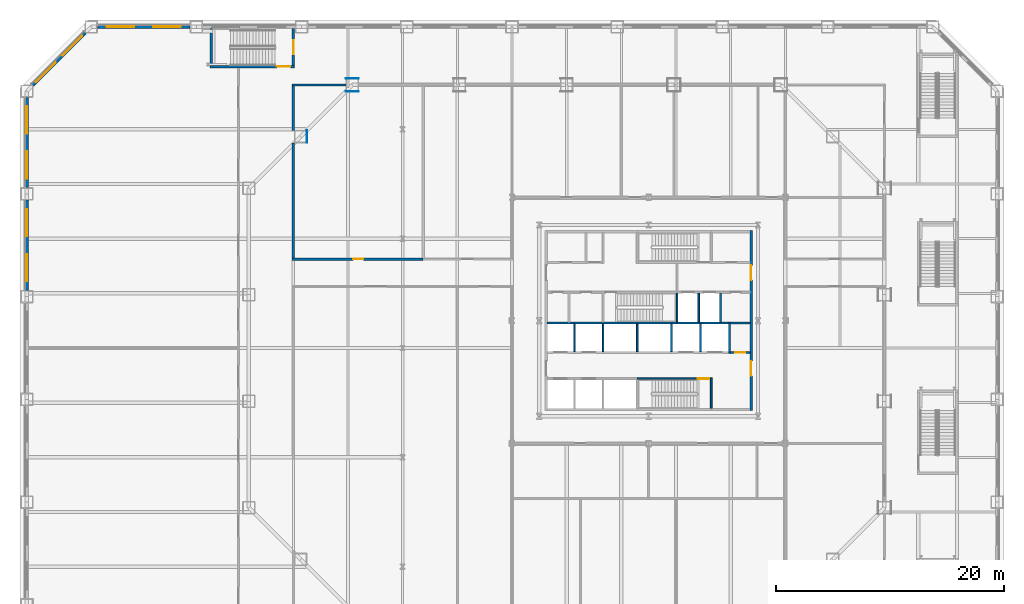
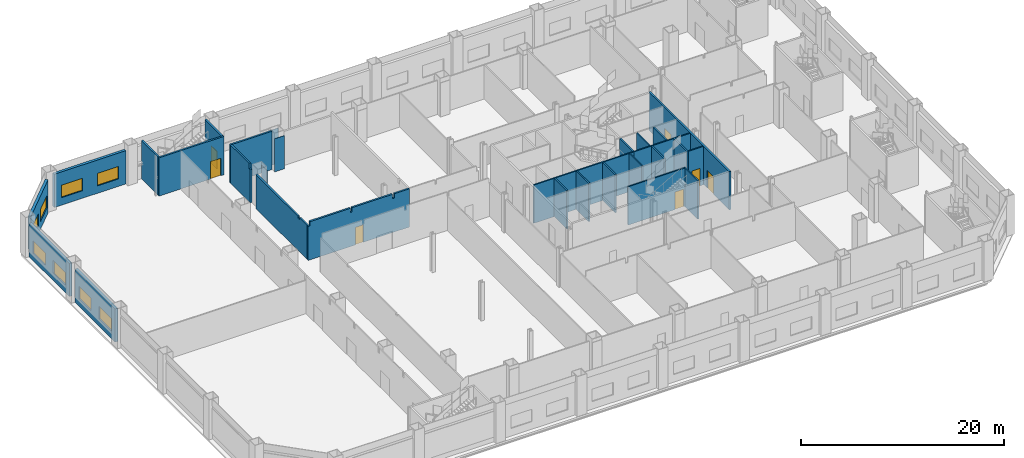
# One storey, part 14 of 26: 31 walls, 8 windows, 7 doors, 15 openings.
"""IFC4 building model written with IfcOpenShell, lengths in metres."""

from ifc_helpers import new_model, si_unit, direction, frame, frame_2d, origin, place, context, subcontext, project, spatial, polyline, rectangle, outline, extrude, material, layer, layer_set, type_object, element, fill, save


model = new_model("IFC4")

# Units and contexts
model_context = context("Model", 3, precision=1e-05, world=origin(), true_north=direction((0.0, 1.0)))
body_context = subcontext(model_context, "Body", "Model", "MODEL_VIEW")
ifc_project = project(units=[si_unit("LENGTHUNIT", "METRE"), si_unit("AREAUNIT", "SQUARE_METRE"), si_unit("VOLUMEUNIT", "CUBIC_METRE"), si_unit("PLANEANGLEUNIT", "RADIAN"), si_unit("MASSUNIT", "GRAM", prefix="KILO")], contexts=[model_context])

# Site, building, storey
site_placement = place(None, origin())
site = spatial("IfcSite", under=ifc_project, at=site_placement, CompositionType="ELEMENT")
building_placement = place(site_placement, origin())
building = spatial("IfcBuilding", under=site, at=building_placement, Name="Cairn Pilgrim Tower", CompositionType="ELEMENT")
storey_placement = place(building_placement, frame((0.0, 0.0, 21.0)))
storey = spatial("IfcBuildingStorey", under=building, at=storey_placement, Name="L03", CompositionType="ELEMENT", Elevation=21.0)

# Wall, openings, doors
ifc_material_1 = material(Name="Concrete C32/40", Category="concrete")
ifc_layer_1 = layer(ifc_material_1, 0.199951171875)
ifc_layer_set_1 = layer_set([ifc_layer_1], Name="CORE OUTER WALL 200 EI 120")
wall_type_1 = type_object("IfcWallType", Name="CORE OUTER WALL 200 EI 120", PredefinedType="SOLIDWALL", material=ifc_layer_set_1)
wall_1_placement = place(storey_placement, frame((16.199951171875, -5.5, 0.0), z_axis=(0.0, 0.0, 1.0), x_axis=(0.0, 1.0, 0.0)))
wall_1 = element("IfcWall", 1, at=wall_1_placement, inside=storey, type_object=wall_type_1, Name="CW:L03:V33", PredefinedType="SOLIDWALL", context=body_context, shape_type="SweptSolid", body=[
    extrude(rectangle(XDim=15.800048828125, YDim=0.199951171875, at=frame_2d((7.89990234375, 0.0))), origin(), (0.0, 0.0, 1.0), 4.60009765625),
])
opening_1_placement = place(wall_1_placement, frame((3.050048828125, 0.0, 0.0)))
opening_1 = element("IfcOpeningElement", 2, at=opening_1_placement, cuts=wall_1, Name="Opening CD-E1", PredefinedType="OPENING", context=body_context, shape_type="SweptSolid", body=[
    extrude(rectangle(XDim=1.300048828125, YDim=2.10009765625, at=frame_2d((0.64990234375, 1.050048828125))), frame((0.0, 0.10986328125, 0.0), z_axis=(0.0, -1.0, 0.0), x_axis=(1.0, 0.0, 0.0)), (0.0, 0.0, 1.0), 0.219970703125),
])
opening_2_placement = place(wall_1_placement, frame((11.449951171875, 0.0, 0.0)))
opening_2 = element("IfcOpeningElement", 3, at=opening_2_placement, cuts=wall_1, Name="Opening CD-E2", PredefinedType="OPENING", context=body_context, shape_type="SweptSolid", body=[
    extrude(rectangle(XDim=1.300048828125, YDim=2.10009765625, at=frame_2d((0.64990234375, 1.050048828125))), frame((0.0, 0.10986328125, 0.0), z_axis=(0.0, -1.0, 0.0), x_axis=(1.0, 0.0, 0.0)), (0.0, 0.0, 1.0), 0.219970703125),
])
ifc_material_2 = material(Name="Painted steel", Category="steel")
door_type_1 = type_object("IfcDoorType", Name="CORE LOBBY DOOR 1300x2100", OperationType="DOUBLE_DOOR_SINGLE_SWING", PredefinedType="DOOR", material=ifc_material_2)
door_1_placement = place(opening_1_placement, origin())
door_1 = element("IfcDoor", 4, at=door_1_placement, inside=storey, type_object=door_type_1, Name="CD-E1", OperationType="DOUBLE_DOOR_SINGLE_SWING", OverallHeight=2.10009765625, OverallWidth=1.300048828125, PredefinedType="DOOR", context=body_context, shape_type="SweptSolid", body=[
    extrude(rectangle(XDim=1.300048828125, YDim=2.10009765625, at=frame_2d((0.64990234375, 1.050048828125))), frame((0.0, 0.02490234375, 0.0), z_axis=(0.0, -1.0, 0.0), x_axis=(1.0, 0.0, 0.0)), (0.0, 0.0, 1.0), 0.050048828125),
])
fill(opening_1, door_1)
door_2_placement = place(opening_2_placement, origin())
door_2 = element("IfcDoor", 5, at=door_2_placement, inside=storey, type_object=door_type_1, Name="CD-E2", OperationType="DOUBLE_DOOR_SINGLE_SWING", OverallHeight=2.10009765625, OverallWidth=1.300048828125, PredefinedType="DOOR", context=body_context, shape_type="SweptSolid", body=[
    extrude(rectangle(XDim=1.300048828125, YDim=2.10009765625, at=frame_2d((0.64990234375, 1.050048828125))), frame((0.0, 0.02490234375, 0.0), z_axis=(0.0, -1.0, 0.0), x_axis=(1.0, 0.0, 0.0)), (0.0, 0.0, 1.0), 0.050048828125),
])
fill(opening_2, door_2)

# Wall, opening, door
ifc_layer_2 = layer(ifc_material_1, 0.14990234375)
ifc_layer_set_2 = layer_set([ifc_layer_2], Name="CORE PARTITION 150 EI 60")
wall_type_2 = type_object("IfcWallType", Name="CORE PARTITION 150 EI 60", PredefinedType="PARTITIONING", material=ifc_layer_set_2)
wall_2_placement = place(storey_placement, frame((14.375, -0.39990234375, 0.0), z_axis=(0.0, 0.0, 1.0), x_axis=(1.0, 0.0, 0.0)))
wall_2 = element("IfcWall", 6, at=wall_2_placement, inside=storey, type_object=wall_type_2, Name="CW:L03:H04", PredefinedType="PARTITIONING", context=body_context, shape_type="SweptSolid", body=[
    extrude(rectangle(XDim=1.72509765625, YDim=0.14990234375, at=frame_2d((0.862548828125, 0.0))), origin(), (0.0, 0.0, 1.0), 4.60009765625),
])
opening_3_placement = place(wall_2_placement, frame((0.425048828125, 0.0, 0.0)))
opening_3 = element("IfcOpeningElement", 7, at=opening_3_placement, cuts=wall_2, Name="Opening RD-R2E", PredefinedType="OPENING", context=body_context, shape_type="SweptSolid", body=[
    extrude(rectangle(XDim=0.89990234375, YDim=2.10009765625, at=frame_2d((0.449951171875, 1.050048828125))), frame((0.0, 0.0849609375, 0.0), z_axis=(0.0, -1.0, 0.0), x_axis=(1.0, 0.0, 0.0)), (0.0, 0.0, 1.0), 0.169921875),
])
door_type_2 = type_object("IfcDoorType", Name="SERVICE ROOM DOOR 900x2100", OperationType="SINGLE_SWING_LEFT", PredefinedType="DOOR", material=ifc_material_2)
door_3_placement = place(opening_3_placement, origin())
door_3 = element("IfcDoor", 8, at=door_3_placement, inside=storey, type_object=door_type_2, Name="RD-R2E", OperationType="SINGLE_SWING_RIGHT", OverallHeight=2.10009765625, OverallWidth=0.89990234375, PredefinedType="DOOR", context=body_context, shape_type="SweptSolid", body=[
    extrude(rectangle(XDim=0.89990234375, YDim=2.10009765625, at=frame_2d((0.449951171875, 1.050048828125))), frame((0.0, 0.02490234375, 0.0), z_axis=(0.0, -1.0, 0.0), x_axis=(1.0, 0.0, 0.0)), (0.0, 0.0, 1.0), 0.050048828125),
])
fill(opening_3, door_3)

# Walls
wall_3_placement = place(storey_placement, frame((14.375, 2.199951171875, 0.0), z_axis=(0.0, 0.0, 1.0), x_axis=(1.0, 0.0, 0.0)))
element("IfcWall", 9, at=wall_3_placement, inside=storey, type_object=wall_type_2, Name="CW:L03:H06", PredefinedType="PARTITIONING", context=body_context, shape_type="SweptSolid", body=[
    extrude(rectangle(XDim=1.72509765625, YDim=0.14990234375, at=frame_2d((0.862548828125, 0.0))), origin(), (0.0, 0.0, 1.0), 4.60009765625),
])
ifc_layer_3 = layer(ifc_material_1, 0.14990234375)
ifc_layer_set_3 = layer_set([ifc_layer_3], Name="CORE SHAFT WALL 150 EI 120")
wall_type_3 = type_object("IfcWallType", Name="CORE SHAFT WALL 150 EI 120", PredefinedType="SOLIDWALL", material=ifc_layer_set_3)
wall_4_placement = place(storey_placement, frame((-1.699951171875, 2.199951171875, 0.0), z_axis=(0.0, 0.0, 1.0), x_axis=(1.0, 0.0, 0.0)))
element("IfcWall", 10, at=wall_4_placement, inside=storey, type_object=wall_type_3, Name="CW:L03:H05-1", PredefinedType="SOLIDWALL", context=body_context, shape_type="SweptSolid", body=[
    extrude(rectangle(XDim=4.89990234375, YDim=0.14990234375, at=frame_2d((2.449951171875, 0.0))), origin(), (0.0, 0.0, 1.0), 4.60009765625),
])
wall_5_placement = place(storey_placement, frame((9.699951171875, 2.199951171875, 0.0), z_axis=(0.0, 0.0, 1.0), x_axis=(1.0, 0.0, 0.0)))
element("IfcWall", 11, at=wall_5_placement, inside=storey, type_object=wall_type_3, Name="CW:L03:H05-3", PredefinedType="SOLIDWALL", context=body_context, shape_type="SweptSolid", body=[
    extrude(rectangle(XDim=4.525146484375, YDim=0.14990234375, at=frame_2d((2.2626953125, 0.0))), origin(), (0.0, 0.0, 1.0), 4.60009765625),
])
for number, where, z_axis, x_axis, name in (
    (12, (0.699951171875, -0.324951171875, 0.0), (0.0, 0.0, 1.0), (0.0, 1.0, 0.0), "CW:L03:V15"),
    (13, (3.199951171875, -0.324951171875, 0.0), (0.0, 0.0, 1.0), (0.0, 1.0, 0.0), "CW:L03:V18"),
    (14, (6.199951171875, -0.324951171875, 0.0), (0.0, 0.0, 1.0), (0.0, 1.0, 0.0), "CW:L03:V22"),
    (15, (9.199951171875, -0.324951171875, 0.0), (0.0, 0.0, 1.0), (0.0, 1.0, 0.0), "CW:L03:V24"),
):
    element("IfcWall", number, at=place(storey_placement, frame(where, z_axis=z_axis, x_axis=x_axis)), inside=storey, type_object=wall_type_3, Name=name, PredefinedType="SOLIDWALL", context=body_context, shape_type="SweptSolid", body=[
        extrude(rectangle(XDim=2.449951171875, YDim=0.14990234375, at=frame_2d((1.22509765625, 0.0))), origin(), (0.0, 0.0, 1.0), 4.60009765625),
    ])
wall_6_placement = place(storey_placement, frame((11.60009765625, 2.27490234375, 0.0), z_axis=(0.0, 0.0, 1.0), x_axis=(0.0, 1.0, 0.0)))
element("IfcWall", 16, at=wall_6_placement, inside=storey, type_object=wall_type_3, Name="CW:L03:V27", PredefinedType="SOLIDWALL", context=body_context, shape_type="SweptSolid", body=[
    extrude(rectangle(XDim=2.550048828125, YDim=0.14990234375, at=frame_2d((1.27490234375, 0.0))), origin(), (0.0, 0.0, 1.0), 4.60009765625),
])
wall_7_placement = place(storey_placement, frame((11.75, -0.324951171875, 0.0), z_axis=(0.0, 0.0, 1.0), x_axis=(0.0, 1.0, 0.0)))
element("IfcWall", 17, at=wall_7_placement, inside=storey, type_object=wall_type_3, Name="CW:L03:V28", PredefinedType="SOLIDWALL", context=body_context, shape_type="SweptSolid", body=[
    extrude(rectangle(XDim=2.449951171875, YDim=0.14990234375, at=frame_2d((1.22509765625, 0.0))), origin(), (0.0, 0.0, 1.0), 4.60009765625),
])
wall_8_placement = place(storey_placement, frame((13.5, 2.27490234375, 0.0), z_axis=(0.0, 0.0, 1.0), x_axis=(0.0, 1.0, 0.0)))
element("IfcWall", 18, at=wall_8_placement, inside=storey, type_object=wall_type_3, Name="CW:L03:V31", PredefinedType="SOLIDWALL", context=body_context, shape_type="SweptSolid", body=[
    extrude(rectangle(XDim=2.550048828125, YDim=0.14990234375, at=frame_2d((1.27490234375, 0.0))), origin(), (0.0, 0.0, 1.0), 4.60009765625),
])
wall_9_placement = place(storey_placement, frame((14.300048828125, -0.47509765625, 0.0), z_axis=(0.0, 0.0, 1.0), x_axis=(0.0, 1.0, 0.0)))
element("IfcWall", 19, at=wall_9_placement, inside=storey, type_object=wall_type_3, Name="CW:L03:V32", PredefinedType="SOLIDWALL", context=body_context, shape_type="SweptSolid", body=[
    extrude(rectangle(XDim=2.75, YDim=0.14990234375, at=frame_2d((1.375, 0.0))), origin(), (0.0, 0.0, 1.0), 4.60009765625),
])
ifc_material_3 = material(Name="Gypsum partition")
ifc_layer_4 = layer(ifc_material_3, 0.050048828125)
ifc_layer_set_4 = layer_set([ifc_layer_4], Name="PARTITION 50 DRYWALL EI 120")
wall_type_4 = type_object("IfcWallType", Name="PARTITION 50 DRYWALL EI 120", PredefinedType="PARTITIONING", material=ifc_layer_set_4)
wall_10_placement = place(storey_placement, frame((-22.78857421875, 18.013671875, 0.0), z_axis=(0.0, 0.0, 1.0), x_axis=(0.0, 1.0, 0.0)))
element("IfcWall", 20, at=wall_10_placement, inside=storey, type_object=wall_type_4, Name="COLUMN CASING WC28", PredefinedType="PARTITIONING", context=body_context, shape_type="SweptSolid", body=[
    extrude(rectangle(XDim=1.099853515625, YDim=0.050048828125, at=frame_2d((0.5498046875, 0.0))), origin(), (0.0, 0.0, 1.0), 4.080078125),
])
wall_11_placement = place(storey_placement, frame((-19.377197265625, 22.52490234375, 0.0), z_axis=(0.0, 0.0, 1.0), x_axis=(1.0, 0.0, 0.0)))
element("IfcWall", 21, at=wall_11_placement, inside=storey, type_object=wall_type_4, Name="COLUMN CASING WC39", PredefinedType="PARTITIONING", context=body_context, shape_type="SweptSolid", body=[
    extrude(rectangle(XDim=1.10009765625, YDim=0.050048828125, at=frame_2d((0.550048828125, 0.0))), origin(), (0.0, 0.0, 1.0), 3.97998046875),
])
wall_12_placement = place(storey_placement, frame((-19.377197265625, 23.675048828125, 0.0), z_axis=(0.0, 0.0, 1.0), x_axis=(1.0, 0.0, 0.0)))
element("IfcWall", 22, at=wall_12_placement, inside=storey, type_object=wall_type_4, Name="COLUMN CASING WC40", PredefinedType="PARTITIONING", context=body_context, shape_type="SweptSolid", body=[
    extrude(rectangle(XDim=1.10009765625, YDim=0.050048828125, at=frame_2d((0.550048828125, 0.0))), origin(), (0.0, 0.0, 1.0), 4.219970703125),
])

# Wall, opening, door
ifc_material_4 = material(Name="Concrete C35/45", Category="concrete")
ifc_layer_5 = layer(ifc_material_4, 0.199951171875)
ifc_layer_set_5 = layer_set([ifc_layer_5], Name="PODIUM STAIR WALL 200 EI 120")
wall_type_5 = type_object("IfcWallType", Name="PODIUM STAIR WALL 200 EI 120", PredefinedType="SOLIDWALL", material=ifc_layer_set_5)
wall_13_placement = place(storey_placement, frame((-31.300048828125, 24.699951171875, 0.0), z_axis=(0.0, 0.0, 1.0), x_axis=(1.0, 0.0, 0.0)))
wall_13 = element("IfcWall", 23, at=wall_13_placement, inside=storey, type_object=wall_type_5, Name="STAIR SHAFT WALL W074", PredefinedType="SOLIDWALL", context=body_context, shape_type="SweptSolid", body=[
    extrude(rectangle(XDim=7.400146484375, YDim=0.199951171875, at=frame_2d((3.7001953125, 0.0))), origin(), (0.0, 0.0, 1.0), 4.60009765625),
])
opening_4_placement = place(wall_13_placement, frame((5.85009765625, 0.0, 0.0)))
opening_4 = element("IfcOpeningElement", 24, at=opening_4_placement, cuts=wall_13, Name="Opening 0321", PredefinedType="OPENING", context=body_context, shape_type="SweptSolid", body=[
    extrude(rectangle(XDim=1.199951171875, YDim=2.10009765625, at=frame_2d((0.60009765625, 1.050048828125))), frame((0.0, 0.10986328125, 0.0), z_axis=(0.0, -1.0, 0.0), x_axis=(1.0, 0.0, 0.0)), (0.0, 0.0, 1.0), 0.219970703125),
])
ifc_material_5 = material(Name="Steel-faced fire door leaf", Category="steel")
door_type_3 = type_object("IfcDoorType", Name="FIRE DOOR 1200x2100 FD60S", OperationType="NOTDEFINED", PredefinedType="DOOR", material=ifc_material_5)
door_4_placement = place(opening_4_placement, origin())
door_4 = element("IfcDoor", 25, at=door_4_placement, inside=storey, type_object=door_type_3, Name="DOOR 0321", OperationType="SINGLE_SWING_LEFT", OverallHeight=2.10009765625, OverallWidth=1.199951171875, PredefinedType="DOOR", context=body_context, shape_type="SweptSolid", body=[
    extrude(rectangle(XDim=1.199951171875, YDim=2.10009765625, at=frame_2d((0.60009765625, 1.050048828125))), frame((0.0, 0.02490234375, 0.0), z_axis=(0.0, -1.0, 0.0), x_axis=(1.0, 0.0, 0.0)), (0.0, 0.0, 1.0), 0.050048828125),
])
fill(opening_4, door_4)

# Wall
wall_14_placement = place(storey_placement, frame((-31.199951171875, 24.800048828125, 0.0), z_axis=(0.0, 0.0, 1.0), x_axis=(0.0, 1.0, 0.0)))
element("IfcWall", 26, at=wall_14_placement, inside=storey, type_object=wall_type_5, Name="STAIR SHAFT WALL W075", PredefinedType="SOLIDWALL", context=body_context, shape_type="SweptSolid", body=[
    extrude(rectangle(XDim=3.25, YDim=0.199951171875, at=frame_2d((1.625, 0.0))), origin(), (0.0, 0.0, 1.0), 4.60009765625),
])

# Wall, opening, door
wall_15_placement = place(storey_placement, frame((-24.0, 24.800048828125, 0.0), z_axis=(0.0, 0.0, 1.0), x_axis=(0.0, 1.0, 0.0)))
wall_15 = element("IfcWall", 27, at=wall_15_placement, inside=storey, type_object=wall_type_5, Name="STAIR SHAFT WALL W076", PredefinedType="SOLIDWALL", context=body_context, shape_type="SweptSolid", body=[
    extrude(rectangle(XDim=3.25, YDim=0.199951171875, at=frame_2d((1.625, 0.0))), origin(), (0.0, 0.0, 1.0), 4.60009765625),
])
opening_5_placement = place(wall_15_placement, frame((1.0, 0.0, 0.0)))
opening_5 = element("IfcOpeningElement", 28, at=opening_5_placement, cuts=wall_15, Name="Opening 0322", PredefinedType="OPENING", context=body_context, shape_type="SweptSolid", body=[
    extrude(rectangle(XDim=1.199951171875, YDim=2.10009765625, at=frame_2d((0.60009765625, 1.050048828125))), frame((0.0, 0.10986328125, 0.0), z_axis=(0.0, -1.0, 0.0), x_axis=(1.0, 0.0, 0.0)), (0.0, 0.0, 1.0), 0.219970703125),
])
door_5_placement = place(opening_5_placement, origin())
door_5 = element("IfcDoor", 29, at=door_5_placement, inside=storey, type_object=door_type_3, Name="DOOR 0322", OperationType="SINGLE_SWING_RIGHT", OverallHeight=2.10009765625, OverallWidth=1.199951171875, PredefinedType="DOOR", context=body_context, shape_type="SweptSolid", body=[
    extrude(rectangle(XDim=1.199951171875, YDim=2.10009765625, at=frame_2d((0.60009765625, 1.050048828125))), frame((0.0, 0.02490234375, 0.0), z_axis=(0.0, -1.0, 0.0), x_axis=(1.0, 0.0, 0.0)), (0.0, 0.0, 1.0), 0.050048828125),
])
fill(opening_5, door_5)

# Wall, openings, windows
ifc_material_6 = material(Name="Concrete C35/45 backup wall with bronze aluminium cladding", Category="concrete")
ifc_layer_6 = layer(ifc_material_6, 0.300048828125)
ifc_layer_set_6 = layer_set([ifc_layer_6], Name="PODIUM WALL 300 BRONZE-CLAD")
wall_type_6 = type_object("IfcWallType", Name="PODIUM WALL 300 BRONZE-CLAD", PredefinedType="SOLIDWALL", material=ifc_layer_set_6)
wall_16_placement = place(storey_placement, frame((-33.063720703125, 28.199951171875, 0.0), z_axis=(0.0, 0.0, 1.0), x_axis=(-1.0, 0.0, 0.0)))
wall_16 = element("IfcWall", 30, at=wall_16_placement, inside=storey, type_object=wall_type_6, Name="PODIUM EXTERNAL WALL N8-NW1", PredefinedType="SOLIDWALL", context=body_context, shape_type="SweptSolid", body=[
    extrude(rectangle(XDim=8.1376953125, YDim=0.300048828125, at=frame_2d((4.06884765625, 0.0))), origin(), (0.0, 0.0, 1.0), 4.0),
])
opening_6_placement = place(wall_16_placement, frame((0.83447265625, 0.0, 0.89990234375)))
opening_6 = element("IfcOpeningElement", 31, at=opening_6_placement, cuts=wall_16, Name="Opening PW15", PredefinedType="OPENING", context=body_context, shape_type="SweptSolid", body=[
    extrude(rectangle(XDim=2.39990234375, YDim=1.5, at=frame_2d((1.199951171875, 0.75))), frame((0.0, 0.16015625, 0.0), z_axis=(0.0, -1.0, 0.0), x_axis=(1.0, 0.0, 0.0)), (0.0, 0.0, 1.0), 0.320068359375),
])
opening_7_placement = place(wall_16_placement, frame((4.9033203125, 0.0, 0.89990234375)))
opening_7 = element("IfcOpeningElement", 32, at=opening_7_placement, cuts=wall_16, Name="Opening PW15", PredefinedType="OPENING", context=body_context, shape_type="SweptSolid", body=[
    extrude(rectangle(XDim=2.39990234375, YDim=1.5, at=frame_2d((1.199951171875, 0.75))), frame((0.0, 0.16015625, 0.0), z_axis=(0.0, -1.0, 0.0), x_axis=(1.0, 0.0, 0.0)), (0.0, 0.0, 1.0), 0.320068359375),
])
ifc_material_7 = material(Name="Bronze anodised aluminium frame with tinted low-E glass", Category="aluminium")
window_type = type_object("IfcWindowType", Name="PODIUM FIXED WINDOW 2400x1500", PartitioningType="SINGLE_PANEL", PredefinedType="WINDOW", material=ifc_material_7)
window_1_placement = place(opening_6_placement, origin())
window_1 = element("IfcWindow", 33, at=window_1_placement, inside=storey, type_object=window_type, Name="PODIUM WINDOW", OverallHeight=1.5, OverallWidth=2.39990234375, PartitioningType="SINGLE_PANEL", PredefinedType="WINDOW", context=body_context, shape_type="SweptSolid", body=[
    extrude(rectangle(XDim=2.39990234375, YDim=1.5, at=frame_2d((1.199951171875, 0.75))), frame((0.0, 0.030029296875, 0.0), z_axis=(0.0, -1.0, 0.0), x_axis=(1.0, 0.0, 0.0)), (0.0, 0.0, 1.0), 0.06005859375),
])
fill(opening_6, window_1)
window_2_placement = place(opening_7_placement, origin())
window_2 = element("IfcWindow", 34, at=window_2_placement, inside=storey, type_object=window_type, Name="PODIUM WINDOW", OverallHeight=1.5, OverallWidth=2.39990234375, PartitioningType="SINGLE_PANEL", PredefinedType="WINDOW", context=body_context, shape_type="SweptSolid", body=[
    extrude(rectangle(XDim=2.39990234375, YDim=1.5, at=frame_2d((1.199951171875, 0.75))), frame((0.0, 0.030029296875, 0.0), z_axis=(0.0, -1.0, 0.0), x_axis=(1.0, 0.0, 0.0)), (0.0, 0.0, 1.0), 0.06005859375),
])
fill(opening_7, window_2)

wall_17_placement = place(storey_placement, frame((-42.274658203125, 27.6767578125, 0.0), z_axis=(0.0, 0.0, 1.0), x_axis=(-0.707106781187, -0.707106781187, 0.0)))
wall_17 = element("IfcWall", 35, at=wall_17_placement, inside=storey, type_object=wall_type_6, Name="PODIUM EXTERNAL WALL NW1-W1", PredefinedType="SOLIDWALL", context=body_context, shape_type="SweptSolid", body=[
    extrude(rectangle(XDim=6.50830078125, YDim=0.300048828125, at=frame_2d((3.254150390625, 0.0))), origin(), (0.0, 0.0, 1.0), 4.0),
])
opening_8_placement = place(wall_17_placement, frame((0.427001953125, 0.0, 0.89990234375)))
opening_8 = element("IfcOpeningElement", 36, at=opening_8_placement, cuts=wall_17, Name="Opening PW15", PredefinedType="OPENING", context=body_context, shape_type="SweptSolid", body=[
    extrude(rectangle(XDim=2.39990234375, YDim=1.5, at=frame_2d((1.199951171875, 0.75))), frame((0.0, 0.16015625, 0.0), z_axis=(0.0, -1.0, 0.0), x_axis=(1.0, 0.0, 0.0)), (0.0, 0.0, 1.0), 0.320068359375),
])
opening_9_placement = place(wall_17_placement, frame((3.68115234375, 0.0, 0.89990234375)))
opening_9 = element("IfcOpeningElement", 37, at=opening_9_placement, cuts=wall_17, Name="Opening PW15", PredefinedType="OPENING", context=body_context, shape_type="SweptSolid", body=[
    extrude(rectangle(XDim=2.39990234375, YDim=1.5, at=frame_2d((1.199951171875, 0.75))), frame((0.0, 0.16015625, 0.0), z_axis=(0.0, -1.0, 0.0), x_axis=(1.0, 0.0, 0.0)), (0.0, 0.0, 1.0), 0.320068359375),
])
window_3_placement = place(opening_8_placement, origin())
window_3 = element("IfcWindow", 38, at=window_3_placement, inside=storey, type_object=window_type, Name="PODIUM WINDOW", OverallHeight=1.5, OverallWidth=2.39990234375, PartitioningType="SINGLE_PANEL", PredefinedType="WINDOW", context=body_context, shape_type="SweptSolid", body=[
    extrude(rectangle(XDim=2.39990234375, YDim=1.5, at=frame_2d((1.199951171875, 0.75))), frame((0.0, 0.030029296875, 0.0), z_axis=(0.0, -1.0, 0.0), x_axis=(1.0, 0.0, 0.0)), (0.0, 0.0, 1.0), 0.06005859375),
])
fill(opening_8, window_3)
window_4_placement = place(opening_9_placement, origin())
window_4 = element("IfcWindow", 39, at=window_4_placement, inside=storey, type_object=window_type, Name="PODIUM WINDOW", OverallHeight=1.5, OverallWidth=2.39990234375, PartitioningType="SINGLE_PANEL", PredefinedType="WINDOW", context=body_context, shape_type="SweptSolid", body=[
    extrude(rectangle(XDim=2.39990234375, YDim=1.5, at=frame_2d((1.199951171875, 0.75))), frame((0.0, 0.030029296875, 0.0), z_axis=(0.0, -1.0, 0.0), x_axis=(1.0, 0.0, 0.0)), (0.0, 0.0, 1.0), 0.06005859375),
])
fill(opening_9, window_4)

wall_18_placement = place(storey_placement, frame((-47.39990234375, 22.00146484375, 0.0), z_axis=(0.0, 0.0, 1.0), x_axis=(0.0, -1.0, 0.0)))
wall_18 = element("IfcWall", 40, at=wall_18_placement, inside=storey, type_object=wall_type_6, Name="PODIUM EXTERNAL WALL W1-W2", PredefinedType="SOLIDWALL", context=body_context, shape_type="SweptSolid", body=[
    extrude(rectangle(XDim=7.920654296875, YDim=0.300048828125, at=frame_2d((3.96044921875, 0.0))), origin(), (0.0, 0.0, 1.0), 4.0),
])
opening_10_placement = place(wall_18_placement, frame((0.780029296875, 0.0, 0.89990234375)))
opening_10 = element("IfcOpeningElement", 41, at=opening_10_placement, cuts=wall_18, Name="Opening PW15", PredefinedType="OPENING", context=body_context, shape_type="SweptSolid", body=[
    extrude(rectangle(XDim=2.39990234375, YDim=1.5, at=frame_2d((1.199951171875, 0.75))), frame((0.0, 0.16015625, 0.0), z_axis=(0.0, -1.0, 0.0), x_axis=(1.0, 0.0, 0.0)), (0.0, 0.0, 1.0), 0.320068359375),
])
opening_11_placement = place(wall_18_placement, frame((4.740478515625, 0.0, 0.89990234375)))
opening_11 = element("IfcOpeningElement", 42, at=opening_11_placement, cuts=wall_18, Name="Opening PW15", PredefinedType="OPENING", context=body_context, shape_type="SweptSolid", body=[
    extrude(rectangle(XDim=2.39990234375, YDim=1.5, at=frame_2d((1.199951171875, 0.75))), frame((0.0, 0.16015625, 0.0), z_axis=(0.0, -1.0, 0.0), x_axis=(1.0, 0.0, 0.0)), (0.0, 0.0, 1.0), 0.320068359375),
])
window_5_placement = place(opening_10_placement, origin())
window_5 = element("IfcWindow", 43, at=window_5_placement, inside=storey, type_object=window_type, Name="PODIUM WINDOW", OverallHeight=1.5, OverallWidth=2.39990234375, PartitioningType="SINGLE_PANEL", PredefinedType="WINDOW", context=body_context, shape_type="SweptSolid", body=[
    extrude(rectangle(XDim=2.39990234375, YDim=1.5, at=frame_2d((1.199951171875, 0.75))), frame((0.0, 0.030029296875, 0.0), z_axis=(0.0, -1.0, 0.0), x_axis=(1.0, 0.0, 0.0)), (0.0, 0.0, 1.0), 0.06005859375),
])
fill(opening_10, window_5)
window_6_placement = place(opening_11_placement, origin())
window_6 = element("IfcWindow", 44, at=window_6_placement, inside=storey, type_object=window_type, Name="PODIUM WINDOW", OverallHeight=1.5, OverallWidth=2.39990234375, PartitioningType="SINGLE_PANEL", PredefinedType="WINDOW", context=body_context, shape_type="SweptSolid", body=[
    extrude(rectangle(XDim=2.39990234375, YDim=1.5, at=frame_2d((1.199951171875, 0.75))), frame((0.0, 0.030029296875, 0.0), z_axis=(0.0, -1.0, 0.0), x_axis=(1.0, 0.0, 0.0)), (0.0, 0.0, 1.0), 0.06005859375),
])
fill(opening_11, window_6)

wall_19_placement = place(storey_placement, frame((-47.39990234375, 12.98095703125, 0.0), z_axis=(0.0, 0.0, 1.0), x_axis=(0.0, -1.0, 0.0)))
wall_19 = element("IfcWall", 45, at=wall_19_placement, inside=storey, type_object=wall_type_6, Name="PODIUM EXTERNAL WALL W2-W3", PredefinedType="SOLIDWALL", context=body_context, shape_type="SweptSolid", body=[
    extrude(rectangle(XDim=7.920654296875, YDim=0.300048828125, at=frame_2d((3.96044921875, 0.0))), origin(), (0.0, 0.0, 1.0), 4.0),
])
opening_12_placement = place(wall_19_placement, frame((0.780029296875, 0.0, 0.89990234375)))
opening_12 = element("IfcOpeningElement", 46, at=opening_12_placement, cuts=wall_19, Name="Opening PW15", PredefinedType="OPENING", context=body_context, shape_type="SweptSolid", body=[
    extrude(rectangle(XDim=2.39990234375, YDim=1.5, at=frame_2d((1.199951171875, 0.75))), frame((0.0, 0.16015625, 0.0), z_axis=(0.0, -1.0, 0.0), x_axis=(1.0, 0.0, 0.0)), (0.0, 0.0, 1.0), 0.320068359375),
])
opening_13_placement = place(wall_19_placement, frame((4.740478515625, 0.0, 0.89990234375)))
opening_13 = element("IfcOpeningElement", 47, at=opening_13_placement, cuts=wall_19, Name="Opening PW15", PredefinedType="OPENING", context=body_context, shape_type="SweptSolid", body=[
    extrude(rectangle(XDim=2.39990234375, YDim=1.5, at=frame_2d((1.199951171875, 0.75))), frame((0.0, 0.16015625, 0.0), z_axis=(0.0, -1.0, 0.0), x_axis=(1.0, 0.0, 0.0)), (0.0, 0.0, 1.0), 0.320068359375),
])
window_7_placement = place(opening_12_placement, origin())
window_7 = element("IfcWindow", 48, at=window_7_placement, inside=storey, type_object=window_type, Name="PODIUM WINDOW", OverallHeight=1.5, OverallWidth=2.39990234375, PartitioningType="SINGLE_PANEL", PredefinedType="WINDOW", context=body_context, shape_type="SweptSolid", body=[
    extrude(rectangle(XDim=2.39990234375, YDim=1.5, at=frame_2d((1.199951171875, 0.75))), frame((0.0, 0.030029296875, 0.0), z_axis=(0.0, -1.0, 0.0), x_axis=(1.0, 0.0, 0.0)), (0.0, 0.0, 1.0), 0.06005859375),
])
fill(opening_12, window_7)
window_8_placement = place(opening_13_placement, origin())
window_8 = element("IfcWindow", 49, at=window_8_placement, inside=storey, type_object=window_type, Name="PODIUM WINDOW", OverallHeight=1.5, OverallWidth=2.39990234375, PartitioningType="SINGLE_PANEL", PredefinedType="WINDOW", context=body_context, shape_type="SweptSolid", body=[
    extrude(rectangle(XDim=2.39990234375, YDim=1.5, at=frame_2d((1.199951171875, 0.75))), frame((0.0, 0.030029296875, 0.0), z_axis=(0.0, -1.0, 0.0), x_axis=(1.0, 0.0, 0.0)), (0.0, 0.0, 1.0), 0.06005859375),
])
fill(opening_13, window_8)

# Wall, opening, door
ifc_layer_7 = layer(ifc_material_3, 0.199951171875)
ifc_layer_set_7 = layer_set([ifc_layer_7], Name="SHAFT WALL 200 GYPSUM EI 120")
wall_type_7 = type_object("IfcWallType", Name="SHAFT WALL 200 GYPSUM EI 120", PredefinedType="PARTITIONING", material=ifc_layer_set_7)
wall_20_placement = place(storey_placement, frame((-24.10009765625, 7.800048828125, 0.0), z_axis=(0.0, 0.0, 1.0), x_axis=(1.0, 0.0, 0.0)))
wall_20 = element("IfcWall", 50, at=wall_20_placement, inside=storey, type_object=wall_type_7, Name="PARTITION W045", PredefinedType="PARTITIONING", context=body_context, shape_type="SweptSolid", body=[
    extrude(outline(polyline([(0.0, 0.0), (11.5, 0.0), (11.5, 4.60009765625), (9.800048828125, 4.60009765625), (9.798095703125, 4.080078125), (9.60009765625, 4.080078125), (9.597900390625, 4.60009765625), (5.0, 4.60009765625), (4.998046875, 4.080078125), (4.800048828125, 4.080078125), (4.798095703125, 4.60009765625), (0.199951171875, 4.60009765625), (0.197998046875, 4.080078125), (0.0, 4.080078125), (0.0, 0.0)])), frame((0.0, 0.10009765625, 0.0), z_axis=(0.0, -1.0, 0.0), x_axis=(1.0, 0.0, 0.0)), (0.0, 0.0, 1.0), 0.199951171875),
])
opening_14_placement = place(wall_20_placement, frame((5.35009765625, 0.0, 0.0)))
opening_14 = element("IfcOpeningElement", 51, at=opening_14_placement, cuts=wall_20, Name="Opening 0301", PredefinedType="OPENING", context=body_context, shape_type="SweptSolid", body=[
    extrude(rectangle(XDim=0.89990234375, YDim=2.10009765625, at=frame_2d((0.449951171875, 1.050048828125))), frame((0.0, 0.10986328125, 0.0), z_axis=(0.0, -1.0, 0.0), x_axis=(1.0, 0.0, 0.0)), (0.0, 0.0, 1.0), 0.219970703125),
])
ifc_material_8 = material(Name="Timber door leaf", Category="wood")
door_type_4 = type_object("IfcDoorType", Name="ROOM DOOR 900x2100 FD60S", OperationType="NOTDEFINED", PredefinedType="DOOR", material=ifc_material_8)
door_6_placement = place(opening_14_placement, frame((0.89990234375, 0.0, 0.0), z_axis=(0.0, 0.0, 1.0), x_axis=(-1.0, 0.0, 0.0)))
door_6 = element("IfcDoor", 52, at=door_6_placement, inside=storey, type_object=door_type_4, Name="DOOR 0301", OperationType="SINGLE_SWING_LEFT", OverallHeight=2.10009765625, OverallWidth=0.89990234375, PredefinedType="DOOR", context=body_context, shape_type="SweptSolid", body=[
    extrude(rectangle(XDim=0.89990234375, YDim=2.10009765625, at=frame_2d((0.449951171875, 1.050048828125))), frame((0.0, 0.02490234375, 0.0), z_axis=(0.0, -1.0, 0.0), x_axis=(1.0, 0.0, 0.0)), (0.0, 0.0, 1.0), 0.050048828125),
])
fill(opening_14, door_6)

# Walls
wall_21_placement = place(storey_placement, frame((-24.0, 7.89990234375, 0.0), z_axis=(0.0, 0.0, 1.0), x_axis=(0.0, 1.0, 0.0)))
element("IfcWall", 53, at=wall_21_placement, inside=storey, type_object=wall_type_7, Name="PARTITION W048", PredefinedType="PARTITIONING", context=body_context, shape_type="SweptSolid", body=[
    extrude(outline(polyline([(0.0, 0.0), (10.11376953125, 0.0), (10.113525390625, 4.080078125), (1.85009765625, 4.080078125), (1.847900390625, 3.8798828125), (1.550048828125, 3.8798828125), (1.548095703125, 4.080078125), (0.0, 4.080078125), (0.0, 0.0)])), frame((0.0, 0.10009765625, 0.0), z_axis=(0.0, -1.0, 0.0), x_axis=(1.0, 0.0, 0.0)), (0.0, 0.0, 1.0), 0.199951171875),
])
wall_22_placement = place(storey_placement, frame((-24.0, 19.113525390625, 0.0), z_axis=(0.0, 0.0, 1.0), x_axis=(0.0, 1.0, 0.0)))
element("IfcWall", 54, at=wall_22_placement, inside=storey, type_object=wall_type_7, Name="PARTITION W066", PredefinedType="PARTITIONING", context=body_context, shape_type="SweptSolid", body=[
    extrude(outline(polyline([(0.0, 0.0), (3.886474609375, 0.0), (3.886474609375, 4.60009765625), (0.236328125, 4.60009765625), (0.234375, 3.97998046875), (0.0, 3.97998046875), (0.0, 0.0)])), frame((0.0, 0.10009765625, 0.0), z_axis=(0.0, -1.0, 0.0), x_axis=(1.0, 0.0, 0.0)), (0.0, 0.0, 1.0), 0.199951171875),
])
wall_23_placement = place(storey_placement, frame((-24.10009765625, 23.10009765625, 0.0), z_axis=(0.0, 0.0, 1.0), x_axis=(1.0, 0.0, 0.0)))
element("IfcWall", 55, at=wall_23_placement, inside=storey, type_object=wall_type_7, Name="PARTITION W067", PredefinedType="PARTITIONING", context=body_context, shape_type="SweptSolid", body=[
    extrude(rectangle(XDim=4.722900390625, YDim=0.199951171875, at=frame_2d((2.361328125, 0.0))), origin(), (0.0, 0.0, 1.0), 4.60009765625),
])

# Wall, opening, door
ifc_layer_8 = layer(ifc_material_4, 0.14990234375)
ifc_layer_set_8 = layer_set([ifc_layer_8], Name="STAIR SHAFT WALL 150 EI 120")
wall_type_8 = type_object("IfcWallType", Name="STAIR SHAFT WALL 150 EI 120", PredefinedType="SOLIDWALL", material=ifc_layer_set_8)
wall_24_placement = place(storey_placement, frame((6.199951171875, -2.699951171875, 0.0), z_axis=(0.0, 0.0, 1.0), x_axis=(1.0, 0.0, 0.0)))
wall_24 = element("IfcWall", 56, at=wall_24_placement, inside=storey, type_object=wall_type_8, Name="CW:L03:H02-2", PredefinedType="SOLIDWALL", context=body_context, shape_type="SweptSolid", body=[
    extrude(rectangle(XDim=6.425048828125, YDim=0.14990234375, at=frame_2d((3.21240234375, 0.0))), origin(), (0.0, 0.0, 1.0), 4.60009765625),
])
opening_15_placement = place(wall_24_placement, frame((5.300048828125, 0.0, 0.0)))
opening_15 = element("IfcOpeningElement", 57, at=opening_15_placement, cuts=wall_24, Name="Opening SD-A", PredefinedType="OPENING", context=body_context, shape_type="SweptSolid", body=[
    extrude(rectangle(XDim=1.0, YDim=2.10009765625, at=frame_2d((0.5, 1.050048828125))), frame((0.0, 0.0849609375, 0.0), z_axis=(0.0, -1.0, 0.0), x_axis=(1.0, 0.0, 0.0)), (0.0, 0.0, 1.0), 0.169921875),
])
door_type_5 = type_object("IfcDoorType", Name="STAIR DOOR FD60S 1000x2100", OperationType="SINGLE_SWING_LEFT", PredefinedType="DOOR", material=ifc_material_2)
door_7_placement = place(opening_15_placement, origin())
door_7 = element("IfcDoor", 58, at=door_7_placement, inside=storey, type_object=door_type_5, Name="SD-A", OperationType="SINGLE_SWING_LEFT", OverallHeight=2.10009765625, OverallWidth=1.0, PredefinedType="DOOR", context=body_context, shape_type="SweptSolid", body=[
    extrude(rectangle(XDim=1.0, YDim=2.10009765625, at=frame_2d((0.5, 1.050048828125))), frame((0.0, 0.02490234375, 0.0), z_axis=(0.0, -1.0, 0.0), x_axis=(1.0, 0.0, 0.0)), (0.0, 0.0, 1.0), 0.050048828125),
])
fill(opening_15, door_7)

# Walls
wall_25_placement = place(storey_placement, frame((3.199951171875, 2.199951171875, 0.0), z_axis=(0.0, 0.0, 1.0), x_axis=(1.0, 0.0, 0.0)))
element("IfcWall", 59, at=wall_25_placement, inside=storey, type_object=wall_type_8, Name="CW:L03:H05-2", PredefinedType="SOLIDWALL", context=body_context, shape_type="SweptSolid", body=[
    extrude(rectangle(XDim=6.5, YDim=0.14990234375, at=frame_2d((3.25, 0.0))), origin(), (0.0, 0.0, 1.0), 4.60009765625),
])
wall_26_placement = place(storey_placement, frame((9.699951171875, 2.27490234375, 0.0), z_axis=(0.0, 0.0, 1.0), x_axis=(0.0, 1.0, 0.0)))
element("IfcWall", 60, at=wall_26_placement, inside=storey, type_object=wall_type_8, Name="CW:L03:V25", PredefinedType="SOLIDWALL", context=body_context, shape_type="SweptSolid", body=[
    extrude(rectangle(XDim=2.550048828125, YDim=0.14990234375, at=frame_2d((1.27490234375, 0.0))), origin(), (0.0, 0.0, 1.0), 4.60009765625),
])
wall_27_placement = place(storey_placement, frame((12.699951171875, -5.300048828125, 0.0), z_axis=(0.0, 0.0, 1.0), x_axis=(0.0, 1.0, 0.0)))
element("IfcWall", 61, at=wall_27_placement, inside=storey, type_object=wall_type_8, Name="CW:L03:V29", PredefinedType="SOLIDWALL", context=body_context, shape_type="SweptSolid", body=[
    extrude(rectangle(XDim=2.675048828125, YDim=0.14990234375, at=frame_2d((1.33740234375, 0.0))), origin(), (0.0, 0.0, 1.0), 4.60009765625),
])

save(model, "model.ifc")
